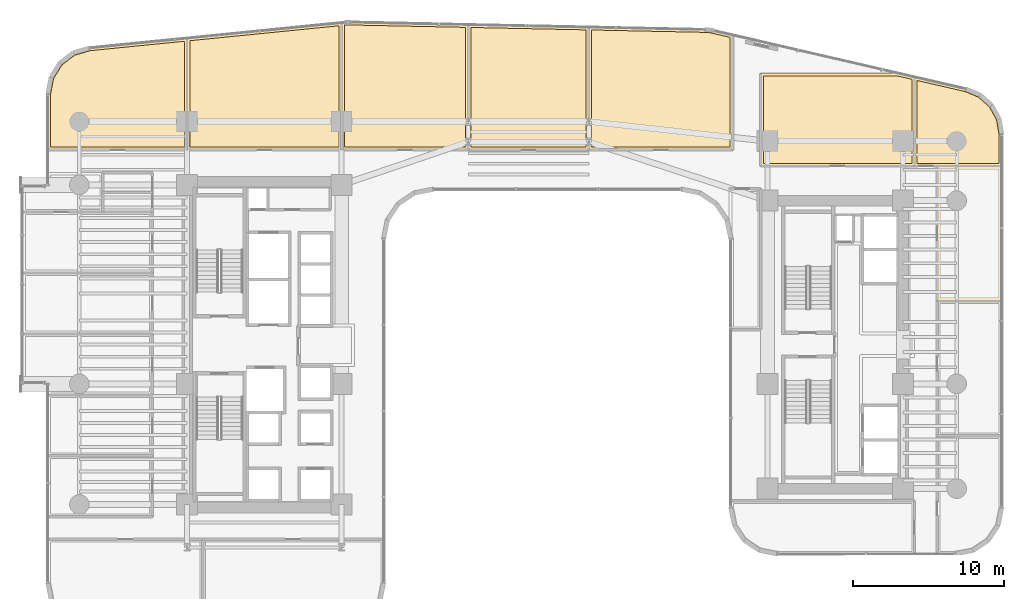
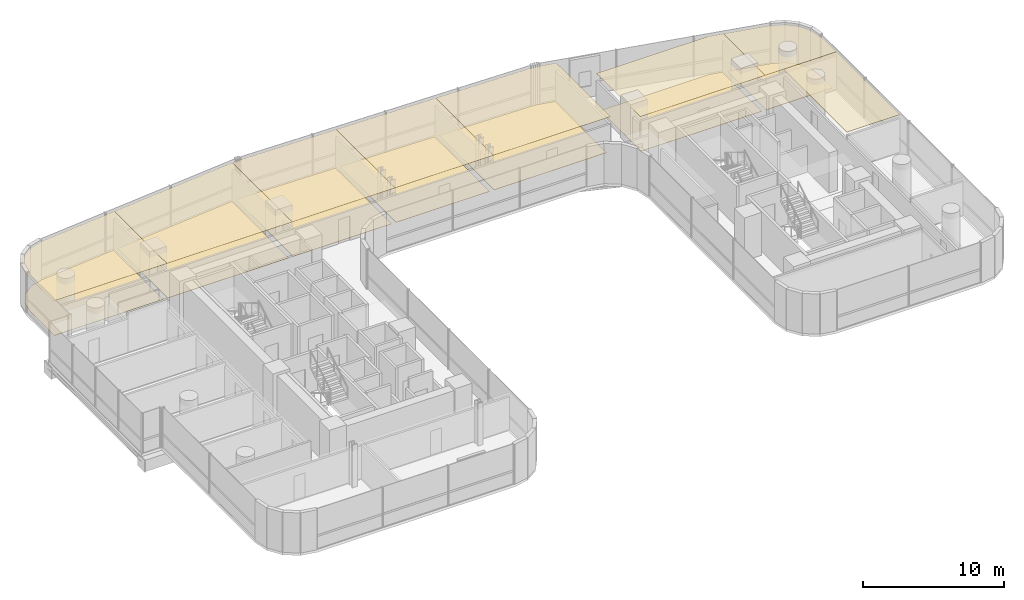
# One storey, part 38 of 38: 15 coverings.
"""IFC4 building model written with IfcOpenShell, lengths in metres."""

from ifc_helpers import new_model, si_unit, direction, frame, origin, place, context, subcontext, project, spatial, polyline, outline, extrude, material, layer, layer_set, type_object, element, save


model = new_model("IFC4")

# Units and contexts
model_context = context("Model", 3, precision=1e-05, world=origin(), true_north=direction((0.0, 1.0)))
body_context = subcontext(model_context, "Body", "Model", "MODEL_VIEW")
ifc_project = project(units=[si_unit("LENGTHUNIT", "METRE"), si_unit("AREAUNIT", "SQUARE_METRE"), si_unit("VOLUMEUNIT", "CUBIC_METRE"), si_unit("PLANEANGLEUNIT", "RADIAN"), si_unit("MASSUNIT", "GRAM", prefix="KILO")], contexts=[model_context])

# Site, building, storey
site_placement = place(None, origin())
site = spatial("IfcSite", under=ifc_project, at=site_placement, CompositionType="ELEMENT")
building_placement = place(site_placement, origin())
building = spatial("IfcBuilding", under=site, at=building_placement, Name="Valdorenza Pilgrim Sanctuary Tower", CompositionType="ELEMENT")
storey_placement = place(building_placement, frame((0.0, 0.0, 37.10009765625)))
storey = spatial("IfcBuildingStorey", under=building, at=storey_placement, Name="L08", CompositionType="ELEMENT", Elevation=37.10009765625)

# Coverings
ifc_material_1 = material(Name="Micro-perforated acoustic mineral ceiling tile", Category="gypsum")
ifc_layer_1 = layer(ifc_material_1, 0.02490234375, Name="Micro-perforated acoustic mineral ceiling tile")
ifc_layer_set_1 = layer_set([ifc_layer_1], Name="Micro-perforated acoustic mineral ceiling tile")
covering_type_1 = type_object("IfcCoveringType", Name="COV-CLG-ACU", PredefinedType="CEILING", material=ifc_layer_set_1)
covering_1_placement = place(storey_placement, frame((0.0, 0.0, 3.159912109375)))
element("IfcCovering", 1, at=covering_1_placement, inside=storey, type_object=covering_type_1, Name="L08 Sanctuary Administration Office L08-N1 Acoustic Ceiling", PredefinedType="CEILING", context=body_context, shape_type="SweptSolid", body=[
    extrude(outline(polyline([(-31.889892578125, 12.905029296875), (-31.8916015625, 12.905029296875), (-31.892822265625, 12.9052734375), (-31.894287109375, 12.905517578125), (-31.895751953125, 12.906005859375), (-31.897216796875, 12.90673828125), (-31.898193359375, 12.907470703125), (-31.8994140625, 12.908447265625), (-31.900634765625, 12.909423828125), (-31.901611328125, 12.910400390625), (-31.902587890625, 12.91162109375), (-31.9033203125, 12.912841796875), (-31.90380859375, 12.914306640625), (-31.904296875, 12.91552734375), (-31.90478515625, 12.9169921875), (-31.90478515625, 12.91845703125), (-31.905029296875, 12.919921875), (-31.905029296875, 16.593994140625), (-31.90478515625, 16.59521484375), (-31.90478515625, 16.5966796875), (-31.6962890625, 17.717041015625), (-31.696044921875, 17.718505859375), (-31.695556640625, 17.7197265625), (-31.695068359375, 17.720947265625), (-31.6943359375, 17.72216796875), (-31.102294921875, 18.68408203125), (-31.1015625, 18.685302734375), (-31.100830078125, 18.686279296875), (-31.099853515625, 18.687255859375), (-31.0986328125, 18.688232421875), (-30.20068359375, 19.372802734375), (-30.199462890625, 19.37353515625), (-30.1982421875, 19.374267578125), (-30.197021484375, 19.374755859375), (-30.19580078125, 19.375244140625), (-29.1015625, 19.694091796875), (-29.10009765625, 19.694580078125), (-29.098876953125, 19.694580078125), (-22.651611328125, 20.33935546875), (-22.64990234375, 20.339599609375), (-22.6484375, 20.33935546875), (-22.647216796875, 20.339111328125), (-22.645751953125, 20.3388671875), (-22.644287109375, 20.33837890625), (-22.642822265625, 20.337646484375), (-22.6416015625, 20.3369140625), (-22.640380859375, 20.336181640625), (-22.639404296875, 20.335205078125), (-22.638427734375, 20.333984375), (-22.637451171875, 20.332763671875), (-22.63671875, 20.33154296875), (-22.635986328125, 20.330078125), (-22.635498046875, 20.328857421875), (-22.63525390625, 20.327392578125), (-22.635009765625, 20.325927734375), (-22.635009765625, 20.324462890625), (-22.635009765625, 12.919921875), (-22.635009765625, 12.91845703125), (-22.63525390625, 12.9169921875), (-22.635498046875, 12.91552734375), (-22.635986328125, 12.914306640625), (-22.63671875, 12.912841796875), (-22.637451171875, 12.91162109375), (-22.638427734375, 12.910400390625), (-22.639404296875, 12.909423828125), (-22.640380859375, 12.908447265625), (-22.6416015625, 12.907470703125), (-22.642822265625, 12.90673828125), (-22.644287109375, 12.906005859375), (-22.6455078125, 12.905517578125), (-22.647216796875, 12.9052734375), (-22.6484375, 12.905029296875), (-22.64990234375, 12.905029296875), (-31.889892578125, 12.905029296875)])), origin(), (0.0, 0.0, 1.0), 0.02490234375),
])
covering_2_placement = place(storey_placement, frame((0.0, 0.0, 3.159912109375)))
element("IfcCovering", 2, at=covering_2_placement, inside=storey, type_object=covering_type_1, Name="L08 Sanctuary Administration Office L08-N2 Acoustic Ceiling", PredefinedType="CEILING", context=body_context, shape_type="SweptSolid", body=[
    extrude(outline(polyline([(-22.6630859375, 20.324462890625), (-22.6630859375, 20.325439453125), (-22.662841796875, 20.326904296875), (-22.66259765625, 20.32861328125), (-22.662109375, 20.329833984375), (-22.66162109375, 20.331298828125), (-22.66064453125, 20.332763671875), (-22.659912109375, 20.333984375), (-22.658935546875, 20.3349609375), (-22.65771484375, 20.336181640625), (-22.656494140625, 20.3369140625), (-22.6552734375, 20.337890625), (-22.65380859375, 20.33837890625), (-22.652587890625, 20.339111328125), (-22.65087890625, 20.33935546875), (-22.6494140625, 20.339599609375), (-12.401611328125, 21.364501953125), (-12.39990234375, 21.364501953125), (-12.3984375, 21.364501953125), (-12.397216796875, 21.3642578125), (-12.395751953125, 21.36376953125), (-12.394287109375, 21.36328125), (-12.392822265625, 21.36279296875), (-12.3916015625, 21.36181640625), (-12.390380859375, 21.361083984375), (-12.389404296875, 21.360107421875), (-12.388427734375, 21.35888671875), (-12.387451171875, 21.35791015625), (-12.38671875, 21.3564453125), (-12.385986328125, 21.355224609375), (-12.385498046875, 21.353759765625), (-12.38525390625, 21.352294921875), (-12.385009765625, 21.350830078125), (-12.385009765625, 21.349609375), (-12.385009765625, 12.919921875), (-12.385009765625, 12.91845703125), (-12.38525390625, 12.9169921875), (-12.385498046875, 12.91552734375), (-12.385986328125, 12.914306640625), (-12.38671875, 12.912841796875), (-12.387451171875, 12.91162109375), (-12.388427734375, 12.910400390625), (-12.389404296875, 12.909423828125), (-12.390380859375, 12.908447265625), (-12.3916015625, 12.907470703125), (-12.392822265625, 12.90673828125), (-12.394287109375, 12.906005859375), (-12.3955078125, 12.905517578125), (-12.397216796875, 12.9052734375), (-12.3984375, 12.905029296875), (-12.39990234375, 12.905029296875), (-22.64794921875, 12.905029296875), (-22.6494140625, 12.905029296875), (-22.65087890625, 12.9052734375), (-22.65234375, 12.905517578125), (-22.65380859375, 12.906005859375), (-22.655029296875, 12.90673828125), (-22.65625, 12.907470703125), (-22.657470703125, 12.908447265625), (-22.65869140625, 12.909423828125), (-22.65966796875, 12.910400390625), (-22.660400390625, 12.91162109375), (-22.6611328125, 12.912841796875), (-22.661865234375, 12.914306640625), (-22.662353515625, 12.91552734375), (-22.66259765625, 12.9169921875), (-22.662841796875, 12.91845703125), (-22.6630859375, 12.919921875), (-22.6630859375, 20.324462890625), (-22.6630859375, 20.324462890625)])), origin(), (0.0, 0.0, 1.0), 0.02490234375),
])
covering_3_placement = place(storey_placement, frame((0.0, 0.0, 3.159912109375)))
element("IfcCovering", 3, at=covering_3_placement, inside=storey, type_object=covering_type_1, Name="L08 Sanctuary Administration Office L08-N3 Acoustic Ceiling", PredefinedType="CEILING", context=body_context, shape_type="SweptSolid", body=[
    extrude(outline(polyline([(-12.4130859375, 21.349609375), (-12.4130859375, 21.3505859375), (-12.412841796875, 21.35205078125), (-12.41259765625, 21.353515625), (-12.412109375, 21.35498046875), (-12.41162109375, 21.356201171875), (-12.41064453125, 21.357666015625), (-12.409912109375, 21.35888671875), (-12.408935546875, 21.360107421875), (-12.40771484375, 21.361083984375), (-12.406494140625, 21.362060546875), (-12.4052734375, 21.36279296875), (-12.40380859375, 21.363525390625), (-12.402587890625, 21.364013671875), (-12.40087890625, 21.364501953125), (-12.3994140625, 21.364501953125), (-12.18359375, 21.38623046875), (-12.183349609375, 21.38623046875), (-12.089599609375, 21.39404296875), (-12.089111328125, 21.39404296875), (-11.996337890625, 21.399169921875), (-11.995849609375, 21.3994140625), (-11.902587890625, 21.401611328125), (-11.90234375, 21.401611328125), (-11.808349609375, 21.40087890625), (-11.80810546875, 21.40087890625), (-3.999755859375, 21.23828125), (-3.998291015625, 21.23828125), (-3.996826171875, 21.238037109375), (-3.995361328125, 21.237548828125), (-3.993896484375, 21.237060546875), (-3.99267578125, 21.236572265625), (-3.991455078125, 21.235595703125), (-3.990234375, 21.23486328125), (-3.9892578125, 21.23388671875), (-3.98828125, 21.232666015625), (-3.987548828125, 21.231689453125), (-3.98681640625, 21.230224609375), (-3.986083984375, 21.22900390625), (-3.985595703125, 21.2275390625), (-3.9853515625, 21.226318359375), (-3.985107421875, 21.224853515625), (-3.985107421875, 21.223388671875), (-3.985107421875, 12.919921875), (-3.985107421875, 12.91845703125), (-3.9853515625, 12.9169921875), (-3.985595703125, 12.91552734375), (-3.986083984375, 12.914306640625), (-3.98681640625, 12.912841796875), (-3.987548828125, 12.91162109375), (-3.98828125, 12.910400390625), (-3.989501953125, 12.909423828125), (-3.990478515625, 12.908447265625), (-3.99169921875, 12.907470703125), (-3.992919921875, 12.90673828125), (-3.994384765625, 12.906005859375), (-3.99560546875, 12.905517578125), (-3.9970703125, 12.9052734375), (-3.99853515625, 12.905029296875), (-4.0, 12.905029296875), (-12.39794921875, 12.905029296875), (-12.3994140625, 12.905029296875), (-12.40087890625, 12.9052734375), (-12.40234375, 12.905517578125), (-12.40380859375, 12.906005859375), (-12.405029296875, 12.90673828125), (-12.40625, 12.907470703125), (-12.407470703125, 12.908447265625), (-12.40869140625, 12.909423828125), (-12.40966796875, 12.910400390625), (-12.410400390625, 12.91162109375), (-12.4111328125, 12.912841796875), (-12.411865234375, 12.914306640625), (-12.412353515625, 12.91552734375), (-12.41259765625, 12.9169921875), (-12.412841796875, 12.91845703125), (-12.4130859375, 12.919921875), (-12.4130859375, 21.349609375), (-12.4130859375, 21.349609375)])), origin(), (0.0, 0.0, 1.0), 0.02490234375),
])
covering_4_placement = place(storey_placement, frame((0.0, 0.0, 3.159912109375)))
element("IfcCovering", 4, at=covering_4_placement, inside=storey, type_object=covering_type_1, Name="L08 Sanctuary Administration Office L08-N4 Acoustic Ceiling", PredefinedType="CEILING", context=body_context, shape_type="SweptSolid", body=[
    extrude(outline(polyline([(-3.998046875, 12.905029296875), (-3.99951171875, 12.905029296875), (-4.0009765625, 12.9052734375), (-4.00244140625, 12.905517578125), (-4.003662109375, 12.906005859375), (-4.005126953125, 12.90673828125), (-4.00634765625, 12.907470703125), (-4.007568359375, 12.908447265625), (-4.008544921875, 12.909423828125), (-4.009521484375, 12.910400390625), (-4.010498046875, 12.91162109375), (-4.01123046875, 12.912841796875), (-4.011962890625, 12.914306640625), (-4.012451171875, 12.91552734375), (-4.0126953125, 12.9169921875), (-4.012939453125, 12.91845703125), (-4.012939453125, 12.919921875), (-4.012939453125, 21.223388671875), (-4.012939453125, 21.224853515625), (-4.0126953125, 21.226318359375), (-4.01220703125, 21.227783203125), (-4.01171875, 21.22900390625), (-4.01123046875, 21.23046875), (-4.010498046875, 21.231689453125), (-4.009521484375, 21.23291015625), (-4.008544921875, 21.23388671875), (-4.00732421875, 21.235107421875), (-4.006103515625, 21.23583984375), (-4.0048828125, 21.236572265625), (-4.00341796875, 21.2373046875), (-4.002197265625, 21.23779296875), (-4.000732421875, 21.238037109375), (-3.999267578125, 21.23828125), (-3.997802734375, 21.23828125), (4.000244140625, 21.07177734375), (4.001708984375, 21.071533203125), (4.003173828125, 21.0712890625), (4.004638671875, 21.07080078125), (4.006103515625, 21.0703125), (4.00732421875, 21.06982421875), (4.008544921875, 21.069091796875), (4.009765625, 21.068115234375), (4.0107421875, 21.067138671875), (4.01171875, 21.066162109375), (4.012451171875, 21.06494140625), (4.01318359375, 21.063720703125), (4.013916015625, 21.062255859375), (4.014404296875, 21.06103515625), (4.0146484375, 21.0595703125), (4.014892578125, 21.05810546875), (4.014892578125, 21.056640625), (4.014892578125, 12.919921875), (4.014892578125, 12.91845703125), (4.0146484375, 12.9169921875), (4.014404296875, 12.91552734375), (4.013916015625, 12.914306640625), (4.01318359375, 12.912841796875), (4.012451171875, 12.91162109375), (4.01171875, 12.910400390625), (4.010498046875, 12.909423828125), (4.009521484375, 12.908447265625), (4.00830078125, 12.907470703125), (4.007080078125, 12.90673828125), (4.005615234375, 12.906005859375), (4.00439453125, 12.905517578125), (4.0029296875, 12.9052734375), (4.00146484375, 12.905029296875), (4.0, 12.905029296875), (-3.998046875, 12.905029296875)])), origin(), (0.0, 0.0, 1.0), 0.02490234375),
])
covering_5_placement = place(storey_placement, frame((0.0, 0.0, 3.159912109375)))
element("IfcCovering", 5, at=covering_5_placement, inside=storey, type_object=covering_type_1, Name="L08 Sanctuary Administration Office L08-N5 Acoustic Ceiling", PredefinedType="CEILING", context=body_context, shape_type="SweptSolid", body=[
    extrude(outline(polyline([(4.001953125, 12.905029296875), (4.00048828125, 12.905029296875), (3.9990234375, 12.9052734375), (3.99755859375, 12.905517578125), (3.996337890625, 12.906005859375), (3.994873046875, 12.90673828125), (3.99365234375, 12.907470703125), (3.992431640625, 12.908447265625), (3.991455078125, 12.909423828125), (3.990478515625, 12.910400390625), (3.989501953125, 12.91162109375), (3.98876953125, 12.912841796875), (3.988037109375, 12.914306640625), (3.987548828125, 12.91552734375), (3.9873046875, 12.9169921875), (3.987060546875, 12.91845703125), (3.987060546875, 12.919921875), (3.987060546875, 21.056640625), (3.987060546875, 21.05810546875), (3.9873046875, 21.0595703125), (3.98779296875, 21.06103515625), (3.98828125, 21.0625), (3.98876953125, 21.063720703125), (3.989501953125, 21.06494140625), (3.990478515625, 21.066162109375), (3.991455078125, 21.0673828125), (3.99267578125, 21.068359375), (3.993896484375, 21.069091796875), (3.9951171875, 21.06982421875), (3.99658203125, 21.070556640625), (3.997802734375, 21.071044921875), (3.999267578125, 21.0712890625), (4.000732421875, 21.071533203125), (4.002197265625, 21.071533203125), (11.666015625, 20.912109375), (11.66650390625, 20.911865234375), (11.82666015625, 20.904296875), (11.827392578125, 20.904296875), (11.98583984375, 20.888916015625), (11.986572265625, 20.888671875), (12.143798828125, 20.864990234375), (12.14453125, 20.864990234375), (12.302001953125, 20.832763671875), (12.30224609375, 20.832763671875), (13.553466796875, 20.5439453125), (13.5546875, 20.543701171875), (13.55615234375, 20.543212890625), (13.557373046875, 20.54248046875), (13.55859375, 20.541748046875), (13.559814453125, 20.540771484375), (13.560791015625, 20.539794921875), (13.561767578125, 20.538818359375), (13.5625, 20.53759765625), (13.563232421875, 20.536376953125), (13.56396484375, 20.534912109375), (13.564453125, 20.53369140625), (13.564697265625, 20.5322265625), (13.56494140625, 20.53076171875), (13.56494140625, 20.529296875), (13.56494140625, 12.919921875), (13.56494140625, 12.91845703125), (13.564697265625, 12.9169921875), (13.564453125, 12.91552734375), (13.56396484375, 12.914306640625), (13.563232421875, 12.912841796875), (13.5625, 12.91162109375), (13.5615234375, 12.910400390625), (13.560546875, 12.909423828125), (13.5595703125, 12.908447265625), (13.558349609375, 12.907470703125), (13.55712890625, 12.90673828125), (13.5556640625, 12.906005859375), (13.554443359375, 12.905517578125), (13.552978515625, 12.9052734375), (13.551513671875, 12.905029296875), (13.550048828125, 12.905029296875), (4.001953125, 12.905029296875)])), origin(), (0.0, 0.0, 1.0), 0.02490234375),
])
covering_6_placement = place(storey_placement, frame((0.0, 0.0, 3.159912109375)))
element("IfcCovering", 6, at=covering_6_placement, inside=storey, type_object=covering_type_1, Name="L08 Curator Research Office L08-BN1 Acoustic Ceiling", PredefinedType="CEILING", context=body_context, shape_type="SweptSolid", body=[
    extrude(outline(polyline([(15.39990234375, 11.8349609375), (15.3984375, 11.835205078125), (15.397216796875, 11.835205078125), (15.3955078125, 11.835693359375), (15.394287109375, 11.836181640625), (15.392822265625, 11.8369140625), (15.3916015625, 11.83740234375), (15.390380859375, 11.83837890625), (15.389404296875, 11.83935546875), (15.388427734375, 11.840576171875), (15.387451171875, 11.841796875), (15.38671875, 11.843017578125), (15.385986328125, 11.84423828125), (15.385498046875, 11.845703125), (15.38525390625, 11.84716796875), (15.385009765625, 11.848388671875), (15.385009765625, 11.85009765625), (15.385009765625, 18.0), (15.385009765625, 18.00146484375), (15.38525390625, 18.0029296875), (15.385498046875, 18.00439453125), (15.385986328125, 18.005615234375), (15.38671875, 18.007080078125), (15.387451171875, 18.00830078125), (15.388427734375, 18.009521484375), (15.389404296875, 18.010498046875), (15.390380859375, 18.01171875), (15.3916015625, 18.012451171875), (15.392822265625, 18.01318359375), (15.394287109375, 18.013916015625), (15.3955078125, 18.014404296875), (15.397216796875, 18.0146484375), (15.3984375, 18.014892578125), (15.39990234375, 18.014892578125), (24.5107421875, 18.014892578125), (24.512451171875, 18.014892578125), (24.51416015625, 18.0146484375), (25.603515625, 17.76318359375), (25.604736328125, 17.762939453125), (25.606201171875, 17.76220703125), (25.607421875, 17.76171875), (25.608642578125, 17.760986328125), (25.609619140625, 17.760009765625), (25.61083984375, 17.759033203125), (25.61181640625, 17.758056640625), (25.612548828125, 17.7568359375), (25.61328125, 17.755615234375), (25.614013671875, 17.75439453125), (25.614501953125, 17.7529296875), (25.61474609375, 17.75146484375), (25.614990234375, 17.75), (25.614990234375, 17.74853515625), (25.614990234375, 11.85009765625), (25.614990234375, 11.848388671875), (25.61474609375, 11.84716796875), (25.614501953125, 11.845703125), (25.614013671875, 11.84423828125), (25.61328125, 11.843017578125), (25.612548828125, 11.841796875), (25.611572265625, 11.840576171875), (25.610595703125, 11.83935546875), (25.609619140625, 11.83837890625), (25.6083984375, 11.83740234375), (25.607177734375, 11.8369140625), (25.605712890625, 11.836181640625), (25.6044921875, 11.835693359375), (25.602783203125, 11.835205078125), (25.6015625, 11.835205078125), (25.60009765625, 11.8349609375), (15.39990234375, 11.8349609375)])), origin(), (0.0, 0.0, 1.0), 0.02490234375),
])
covering_7_placement = place(storey_placement, frame((0.0, 0.0, 3.159912109375)))
element("IfcCovering", 7, at=covering_7_placement, inside=storey, type_object=covering_type_1, Name="L08 East Wing Reference Library L08-BNE Acoustic Ceiling", PredefinedType="CEILING", context=body_context, shape_type="SweptSolid", body=[
    extrude(outline(polyline([(28.9892578125, 16.98193359375), (28.990478515625, 16.981689453125), (28.99169921875, 16.981201171875), (29.95361328125, 16.580322265625), (29.955078125, 16.57958984375), (29.95654296875, 16.57861328125), (29.9580078125, 16.57763671875), (30.72705078125, 15.88818359375), (30.728271484375, 15.886962890625), (30.729248046875, 15.8857421875), (30.72998046875, 15.88427734375), (31.22900390625, 14.97998046875), (31.2294921875, 14.978271484375), (31.230224609375, 14.976806640625), (31.230712890625, 14.97509765625), (31.40478515625, 13.947509765625), (31.40478515625, 13.9462890625), (31.405029296875, 13.945068359375), (31.405029296875, 11.85009765625), (31.40478515625, 11.848388671875), (31.40478515625, 11.84716796875), (31.404296875, 11.845703125), (31.40380859375, 11.84423828125), (31.4033203125, 11.843017578125), (31.402587890625, 11.841796875), (31.401611328125, 11.840576171875), (31.400634765625, 11.83935546875), (31.3994140625, 11.83837890625), (31.398193359375, 11.83740234375), (31.397216796875, 11.8369140625), (31.395751953125, 11.836181640625), (31.394287109375, 11.835693359375), (31.392822265625, 11.835205078125), (31.3916015625, 11.835205078125), (31.389892578125, 11.8349609375), (25.60205078125, 11.8349609375), (25.6005859375, 11.835205078125), (25.59912109375, 11.835205078125), (25.59765625, 11.835693359375), (25.59619140625, 11.836181640625), (25.594970703125, 11.8369140625), (25.59375, 11.83740234375), (25.592529296875, 11.83837890625), (25.59130859375, 11.83935546875), (25.59033203125, 11.840576171875), (25.589599609375, 11.841796875), (25.5888671875, 11.843017578125), (25.588134765625, 11.84423828125), (25.587646484375, 11.845703125), (25.58740234375, 11.84716796875), (25.587158203125, 11.848388671875), (25.5869140625, 11.85009765625), (25.5869140625, 17.748291015625), (25.587158203125, 17.749755859375), (25.58740234375, 17.751220703125), (25.587646484375, 17.752685546875), (25.588134765625, 17.75390625), (25.5888671875, 17.75537109375), (25.589599609375, 17.756591796875), (25.590576171875, 17.7578125), (25.591552734375, 17.7587890625), (25.5927734375, 17.760009765625), (25.593994140625, 17.7607421875), (25.59521484375, 17.761474609375), (25.596435546875, 17.76220703125), (25.597900390625, 17.7626953125), (25.599365234375, 17.762939453125), (25.600830078125, 17.76318359375), (25.602294921875, 17.76318359375), (25.60400390625, 17.76318359375), (25.60546875, 17.7626953125), (28.9892578125, 16.98193359375)])), origin(), (0.0, 0.0, 1.0), 0.02490234375),
])
covering_8_placement = place(storey_placement, frame((0.0, 0.0, 3.159912109375)))
element("IfcCovering", 8, at=covering_8_placement, inside=storey, type_object=covering_type_1, Name="L08 Open Plan Scholar Office L08-EB3 Acoustic Ceiling", PredefinedType="CEILING", context=body_context, shape_type="SweptSolid", body=[
    extrude(outline(polyline([(27.0849609375, 11.847900390625), (27.085205078125, 11.849609375), (27.085205078125, 11.850830078125), (27.085693359375, 11.852294921875), (27.086181640625, 11.853759765625), (27.0869140625, 11.85498046875), (27.08740234375, 11.856201171875), (27.08837890625, 11.857421875), (27.08935546875, 11.858642578125), (27.090576171875, 11.859619140625), (27.091796875, 11.860595703125), (27.093017578125, 11.861083984375), (27.09423828125, 11.86181640625), (27.095703125, 11.8623046875), (27.09716796875, 11.86279296875), (27.098388671875, 11.86279296875), (27.10009765625, 11.863037109375), (31.389892578125, 11.863037109375), (31.3916015625, 11.86279296875), (31.392822265625, 11.86279296875), (31.394287109375, 11.8623046875), (31.395751953125, 11.86181640625), (31.397216796875, 11.861083984375), (31.398193359375, 11.860595703125), (31.3994140625, 11.859619140625), (31.400634765625, 11.858642578125), (31.401611328125, 11.857421875), (31.402587890625, 11.856201171875), (31.4033203125, 11.85498046875), (31.40380859375, 11.853759765625), (31.404296875, 11.852294921875), (31.40478515625, 11.850830078125), (31.40478515625, 11.849609375), (31.405029296875, 11.847900390625), (31.405029296875, 2.902099609375), (31.40478515625, 2.900390625), (31.40478515625, 2.899169921875), (31.404296875, 2.897705078125), (31.40380859375, 2.896240234375), (31.4033203125, 2.89501953125), (31.402587890625, 2.893798828125), (31.401611328125, 2.892578125), (31.400634765625, 2.891357421875), (31.3994140625, 2.890380859375), (31.398193359375, 2.889404296875), (31.397216796875, 2.888916015625), (31.395751953125, 2.88818359375), (31.394287109375, 2.8876953125), (31.392822265625, 2.88720703125), (31.3916015625, 2.88720703125), (31.389892578125, 2.886962890625), (27.10009765625, 2.886962890625), (27.098388671875, 2.88720703125), (27.09716796875, 2.88720703125), (27.095703125, 2.8876953125), (27.09423828125, 2.88818359375), (27.093017578125, 2.888916015625), (27.091796875, 2.889404296875), (27.090576171875, 2.890380859375), (27.08935546875, 2.891357421875), (27.08837890625, 2.892578125), (27.08740234375, 2.893798828125), (27.0869140625, 2.89501953125), (27.086181640625, 2.896240234375), (27.085693359375, 2.897705078125), (27.085205078125, 2.899169921875), (27.085205078125, 2.900390625), (27.0849609375, 2.902099609375), (27.0849609375, 11.847900390625)])), origin(), (0.0, 0.0, 1.0), 0.02490234375),
])
ifc_material_2 = material(Name="Honed travertine stone flooring", Category="masonry")
ifc_layer_2 = layer(ifc_material_2, 0.030029296875, Name="Honed travertine stone flooring")
ifc_layer_set_2 = layer_set([ifc_layer_2], Name="Honed travertine stone flooring")
covering_type_2 = type_object("IfcCoveringType", Name="COV-FLR-TRV", PredefinedType="FLOORING", material=ifc_layer_set_2)
covering_9_placement = place(storey_placement, origin())
element("IfcCovering", 9, at=covering_9_placement, inside=storey, type_object=covering_type_2, Name="L08 Sanctuary Administration Office L08-N1 Flooring", PredefinedType="FLOORING", context=body_context, shape_type="SweptSolid", body=[
    extrude(outline(polyline([(-31.7099609375, 13.10009765625), (-31.7099609375, 16.577392578125), (-31.5107421875, 17.6484375), (-30.953857421875, 18.553466796875), (-30.109130859375, 19.197509765625), (-29.06298828125, 19.502197265625), (-22.830078125, 20.12548828125), (-22.830078125, 13.10009765625), (-31.7099609375, 13.10009765625)])), origin(), (0.0, 0.0, 1.0), 0.02490234375),
])
covering_10_placement = place(storey_placement, origin())
element("IfcCovering", 10, at=covering_10_placement, inside=storey, type_object=covering_type_2, Name="L08 Sanctuary Administration Office L08-N2 Flooring", PredefinedType="FLOORING", context=body_context, shape_type="SweptSolid", body=[
    extrude(outline(polyline([(-22.468017578125, 13.10009765625), (-22.468017578125, 20.16162109375), (-12.580078125, 21.150634765625), (-12.580078125, 13.10009765625), (-22.468017578125, 13.10009765625)])), origin(), (0.0, 0.0, 1.0), 0.02490234375),
])
covering_11_placement = place(storey_placement, origin())
element("IfcCovering", 11, at=covering_11_placement, inside=storey, type_object=covering_type_2, Name="L08 Sanctuary Administration Office L08-N3 Flooring", PredefinedType="FLOORING", context=body_context, shape_type="SweptSolid", body=[
    extrude(outline(polyline([(-12.218017578125, 13.10009765625), (-12.218017578125, 21.186767578125), (-12.165283203125, 21.19189453125), (-12.07568359375, 21.19970703125), (-11.98828125, 21.204345703125), (-11.900634765625, 21.20654296875), (-11.810791015625, 21.2060546875), (-4.179931640625, 21.047119140625), (-4.179931640625, 13.10009765625), (-12.218017578125, 13.10009765625)])), origin(), (0.0, 0.0, 1.0), 0.02490234375),
])
covering_12_placement = place(storey_placement, origin())
element("IfcCovering", 12, at=covering_12_placement, inside=storey, type_object=covering_type_2, Name="L08 Sanctuary Administration Office L08-N4 Flooring", PredefinedType="FLOORING", context=body_context, shape_type="SweptSolid", body=[
    extrude(outline(polyline([(-3.818115234375, 13.10009765625), (-3.818115234375, 21.03955078125), (3.820068359375, 20.88037109375), (3.820068359375, 13.10009765625), (-3.818115234375, 13.10009765625)])), origin(), (0.0, 0.0, 1.0), 0.02490234375),
])
covering_13_placement = place(storey_placement, origin())
element("IfcCovering", 13, at=covering_13_placement, inside=storey, type_object=covering_type_2, Name="L08 Sanctuary Administration Office L08-N5 Flooring", PredefinedType="FLOORING", context=body_context, shape_type="SweptSolid", body=[
    extrude(outline(polyline([(4.181884765625, 13.10009765625), (4.181884765625, 20.872802734375), (11.65966796875, 20.717041015625), (11.81298828125, 20.7099609375), (11.962158203125, 20.6953125), (12.110107421875, 20.6728515625), (12.2607421875, 20.64208984375), (13.3701171875, 20.38623046875), (13.3701171875, 13.10009765625), (4.181884765625, 13.10009765625)])), origin(), (0.0, 0.0, 1.0), 0.02490234375),
])
covering_14_placement = place(storey_placement, origin())
element("IfcCovering", 14, at=covering_14_placement, inside=storey, type_object=covering_type_2, Name="L08 Curator Research Office L08-BN1 Flooring", PredefinedType="FLOORING", context=body_context, shape_type="SweptSolid", body=[
    extrude(outline(polyline([(15.580078125, 12.030029296875), (15.580078125, 17.820068359375), (24.490234375, 17.820068359375), (25.419921875, 17.60546875), (25.419921875, 12.030029296875), (15.580078125, 12.030029296875)])), origin(), (0.0, 0.0, 1.0), 0.02490234375),
])
covering_15_placement = place(storey_placement, origin())
element("IfcCovering", 15, at=covering_15_placement, inside=storey, type_object=covering_type_2, Name="L08 East Wing Reference Library L08-BNE Flooring", PredefinedType="FLOORING", context=body_context, shape_type="SweptSolid", body=[
    extrude(outline(polyline([(28.9306640625, 16.79541015625), (29.8505859375, 16.412109375), (30.57421875, 15.763427734375), (31.04345703125, 14.912353515625), (31.2099609375, 13.929931640625), (31.2099609375, 12.030029296875), (25.781982421875, 12.030029296875), (25.781982421875, 17.52197265625), (28.9306640625, 16.79541015625)])), origin(), (0.0, 0.0, 1.0), 0.02490234375),
])

save(model, "model.ifc")
